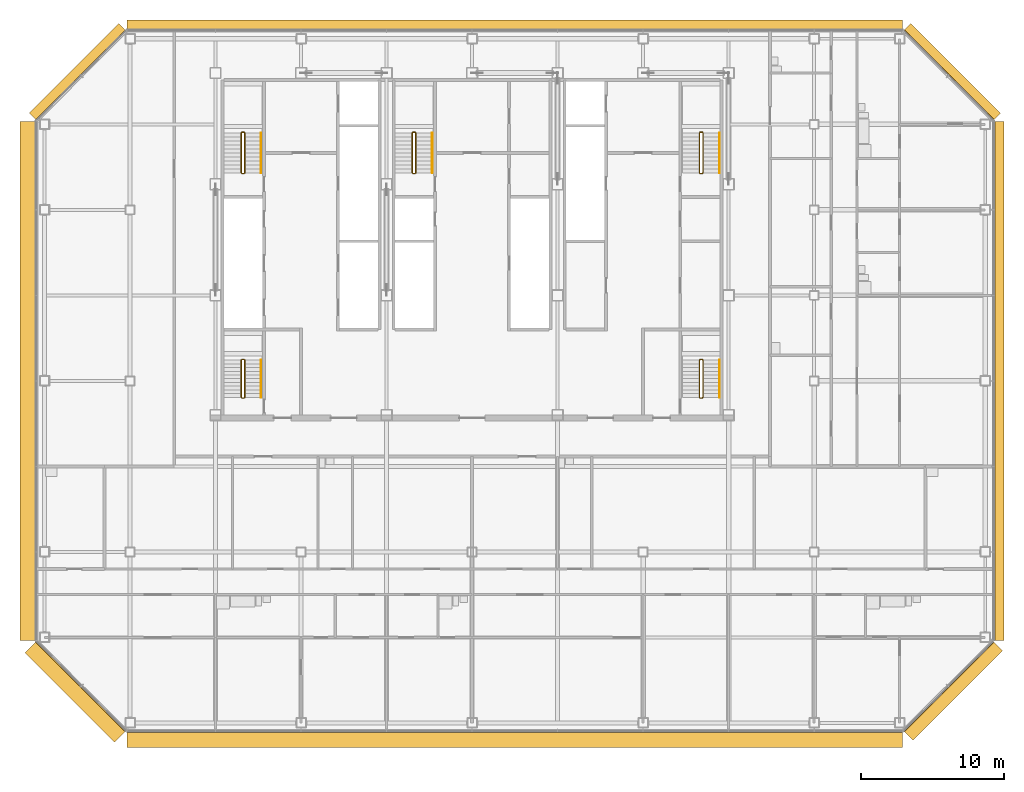
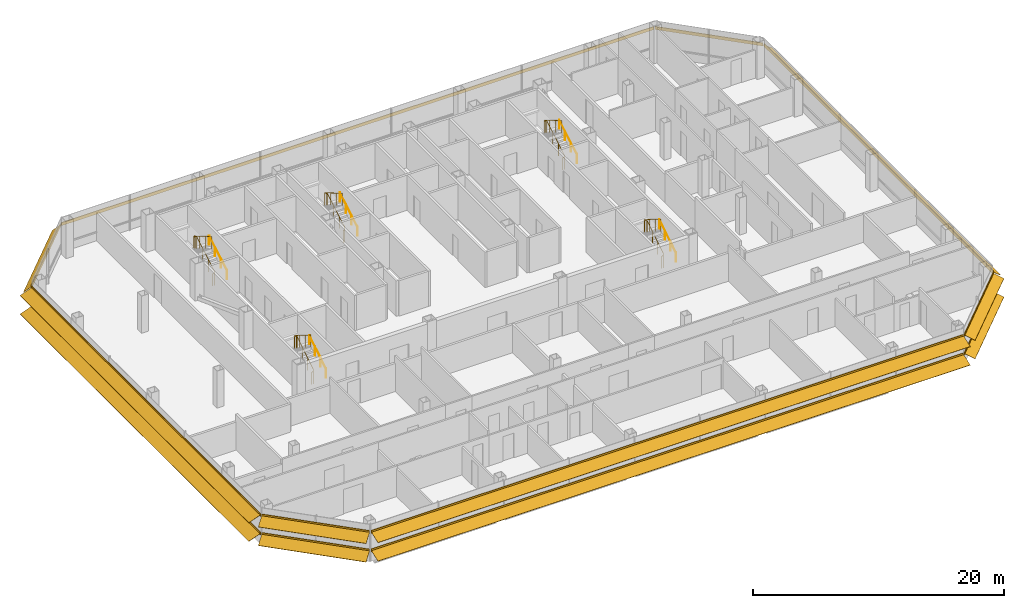
# One storey, part 25 of 26: 10 railings, 8 shading devices.
"""IFC4 building model written with IfcOpenShell, lengths in metres."""

import ifcopenshell
import ifcopenshell.guid

model = None  # the IFC model being written
_history = None  # IfcOwnerHistory: only IFC2X3 demands one
_inside = {}  # id of a spatial element -> (the spatial element, [elements in it])
_under = {}  # id of a project, library or spatial element -> (it, [spatial elements below it])
_declared = {}  # id of a project -> (the project, [libraries it declares])
_typed = {}  # id of a type object -> (the type object, [elements of that type])
_made_of = {}  # id of a material, layer set ... -> (it, [elements and type objects made of it])


def new_model(schema):
    """Start an empty IFC model of exactly this schema.

    Asked for "IFC4X3", IfcOpenShell would pick the latest addendum, in which some entities
    have other attributes; the version numbers below select the first issue.
    IFC2X3 requires an IfcOwnerHistory on every rooted entity: one is made here for all.
    """
    global model, _history
    if schema == "IFC4X3":
        model = ifcopenshell.file(schema_version=(4, 3, 0, 0))
    else:
        model = ifcopenshell.file(schema=schema)
    _inside.clear()
    _under.clear()
    _declared.clear()
    _typed.clear()
    _made_of.clear()
    _history = None
    if model.schema == "IFC2X3":
        org = make("IfcOrganization", Name="unknown")
        user = make(
            "IfcPersonAndOrganization",
            ThePerson=make("IfcPerson", FamilyName="unknown"),
            TheOrganization=org,
        )
        app = make(
            "IfcApplication",
            ApplicationDeveloper=org,
            Version="unknown",
            ApplicationFullName="unknown",
            ApplicationIdentifier="unknown",
        )
        _history = make(
            "IfcOwnerHistory",
            OwningUser=user,
            OwningApplication=app,
            ChangeAction="ADDED",
            CreationDate=0,
        )
    return model


def make(cls, **values):
    """One entity of the class cls with the attributes given. An attribute that is None is left unset."""
    return model.create_entity(
        cls, **{name: value for name, value in values.items() if value is not None}
    )


def rooted(cls, **values):
    """An entity with a GlobalId (a new one), such as an element, a storey or a relation."""
    return make(cls, GlobalId=ifcopenshell.guid.new(), OwnerHistory=_history, **values)


def si_unit(unit_type, name, prefix=None):
    """IfcSIUnit, for example si_unit("LENGTHUNIT", "METRE", prefix="MILLI")."""
    return make("IfcSIUnit", UnitType=unit_type, Prefix=prefix, Name=name)


def assignment(units):
    """IfcUnitAssignment: the units of a project."""
    return None if units is None else make("IfcUnitAssignment", Units=units)


def point(xyz):
    """IfcCartesianPoint."""
    return None if xyz is None else make("IfcCartesianPoint", Coordinates=xyz)


def direction(xyz):
    """IfcDirection."""
    return None if xyz is None else make("IfcDirection", DirectionRatios=xyz)


def frame(location, z_axis=None, x_axis=None):
    """IfcAxis2Placement3D, a coordinate frame: its origin and axes. An axis left out is left unset."""
    return make(
        "IfcAxis2Placement3D",
        Location=point(location),
        Axis=direction(z_axis),
        RefDirection=direction(x_axis),
    )


def frame_2d(location, x_axis=None):
    """IfcAxis2Placement2D, a coordinate frame in the plane: its origin and x axis."""
    return make(
        "IfcAxis2Placement2D", Location=point(location), RefDirection=direction(x_axis)
    )


def origin():
    """The frame at (0, 0, 0) with its axes left unset."""
    return frame((0.0, 0.0, 0.0))


def origin_2d():
    """The frame at (0, 0) in the plane with its x axis left unset."""
    return frame_2d((0.0, 0.0))


def place(relative_to, where):
    """IfcLocalPlacement: puts the frame where relative to a parent placement (None: the world)."""
    return make(
        "IfcLocalPlacement", PlacementRelTo=relative_to, RelativePlacement=where
    )


def context(
    kind, dimensions, precision=None, world=None, true_north=None, identifier=None
):
    """IfcGeometricRepresentationContext, for example the 3D "Model" context."""
    return make(
        "IfcGeometricRepresentationContext",
        ContextIdentifier=identifier,
        ContextType=kind,
        CoordinateSpaceDimension=dimensions,
        Precision=precision,
        WorldCoordinateSystem=world,
        TrueNorth=true_north,
    )


def subcontext(parent, identifier, kind, view, scale=None):
    """IfcGeometricRepresentationSubContext, for example "Body" below "Model"."""
    return make(
        "IfcGeometricRepresentationSubContext",
        ContextIdentifier=identifier,
        ContextType=kind,
        ParentContext=parent,
        TargetScale=scale,
        TargetView=view,
    )


def project(units=None, contexts=None):
    """IfcProject with its units and contexts."""
    return rooted(
        "IfcProject",
        Name="project",
        RepresentationContexts=contexts,
        UnitsInContext=assignment(units),
    )


def spatial(cls, under=None, at=None, **own):
    """A site, building, storey or space (cls), placed at a placement, below another one or the project."""
    s = rooted(cls, ObjectPlacement=at, **own)
    if under is not None:
        _under.setdefault(under.id(), (under, []))[1].append(s)
    return s


def polyline(points):
    """IfcPolyline through the points."""
    return make("IfcPolyline", Points=[point(p) for p in points])


def profile(cls, at=None, kind="AREA", **sizes):
    """A parametric profile (cls). Its sizes go by their IFC names, for example OverallWidth=200.0."""
    return make(cls, ProfileType=kind, Position=at, **sizes)


def circle(**sizes):
    """IfcCircleProfileDef."""
    return profile("IfcCircleProfileDef", **sizes)


def outline(outer, holes=None, kind="AREA"):
    """IfcArbitraryClosedProfileDef: a profile drawn as a closed curve; with holes, ...WithVoids."""
    if holes is None:
        return make("IfcArbitraryClosedProfileDef", ProfileType=kind, OuterCurve=outer)
    return make(
        "IfcArbitraryProfileDefWithVoids",
        ProfileType=kind,
        OuterCurve=outer,
        InnerCurves=holes,
    )


def composite_profile(profiles, kind="AREA"):
    """IfcCompositeProfileDef: several profiles as one."""
    return make("IfcCompositeProfileDef", ProfileType=kind, Profiles=profiles)


def extrude(swept, where, along, depth):
    """IfcExtrudedAreaSolid: the profile swept, set in the frame where, extruded along a direction by depth."""
    return make(
        "IfcExtrudedAreaSolid",
        SweptArea=swept,
        Position=where,
        ExtrudedDirection=direction(along),
        Depth=depth,
    )


def shape(context_of_items, identifier, shape_type, items):
    """IfcShapeRepresentation: the items that make up one representation, for example the "Body"."""
    return make(
        "IfcShapeRepresentation",
        ContextOfItems=context_of_items,
        RepresentationIdentifier=identifier,
        RepresentationType=shape_type,
        Items=items,
    )


def material(Name=None, Category=None):
    """IfcMaterial."""
    return make("IfcMaterial", Name=Name, Category=Category)


def made_of(thing, what):
    """Note that an element or type object is made of a material, layer set ...; save() writes the relation."""
    if what is not None:
        _made_of.setdefault(what.id(), (what, []))[1].append(thing)
    return thing


def type_object(cls, material=None, **own):
    """A type object (cls), such as IfcWallType, which elements share."""
    return made_of(rooted(cls, **own), material)


def element(
    cls,
    number,
    at=None,
    inside=None,
    cuts=None,
    type_object=None,
    material=None,
    context=None,
    identifier="Body",
    shape_type=None,
    held_by="IfcProductDefinitionShape",
    body=None,
    shapes=None,
    **own,
):
    """One element of the class cls, such as IfcWall. Its Tag is "e" and its number.

    at: its placement. inside: the storey or other place that contains it. cuts: it is an
    opening in that element (IfcRelVoidsElement). A single representation is given by context,
    identifier, shape_type and body (its items); several are given by shapes. held_by: the class
    of the entity that holds the representations. save() writes the other relations.
    """
    e = rooted(cls, Tag="e%d" % number, ObjectPlacement=at, **own)
    if body is not None:
        shapes = [shape(context, identifier, shape_type, body)]
    if shapes is not None:
        e.Representation = make(held_by, Representations=shapes)
    if inside is not None:
        _inside.setdefault(inside.id(), (inside, []))[1].append(e)
    if cuts is not None:
        rooted(
            "IfcRelVoidsElement", RelatingBuildingElement=cuts, RelatedOpeningElement=e
        )
    if type_object is not None:
        _typed.setdefault(type_object.id(), (type_object, []))[1].append(e)
    return made_of(e, material)


def aggregate(whole, parts):
    """IfcRelAggregates: a whole, such as a stair, and the parts it consists of."""
    return rooted("IfcRelAggregates", RelatingObject=whole, RelatedObjects=parts)


def save(model, path):
    """Write the relations noted so far, then the file.

    IfcRelAggregates (storeys below a building ...), IfcRelContainedInSpatialStructure (elements
    in a storey), IfcRelDefinesByType, IfcRelAssociatesMaterial and IfcRelDeclares: one each for
    every whole, place, type object, material and project.
    """
    for whole, parts in _under.values():
        aggregate(whole, parts)
    for where, things in _inside.values():
        rooted(
            "IfcRelContainedInSpatialStructure",
            RelatedElements=things,
            RelatingStructure=where,
        )
    for kind, things in _typed.values():
        rooted("IfcRelDefinesByType", RelatedObjects=things, RelatingType=kind)
    for what, things in _made_of.values():
        rooted("IfcRelAssociatesMaterial", RelatedObjects=things, RelatingMaterial=what)
    for by, libraries in _declared.values():
        rooted("IfcRelDeclares", RelatingContext=by, RelatedDefinitions=libraries)
    model.write(path)


model = new_model("IFC4")

# Units and contexts
model_context = context("Model", 3, precision=1e-05, world=origin(), true_north=direction((0.0, 1.0)))
body_context = subcontext(model_context, "Body", "Model", "MODEL_VIEW")
ifc_project = project(units=[si_unit("LENGTHUNIT", "METRE"), si_unit("AREAUNIT", "SQUARE_METRE"), si_unit("VOLUMEUNIT", "CUBIC_METRE"), si_unit("PLANEANGLEUNIT", "RADIAN"), si_unit("MASSUNIT", "GRAM", prefix="KILO")], contexts=[model_context])

# Site, building, storey
site_placement = place(None, origin())
site = spatial("IfcSite", under=ifc_project, at=site_placement, CompositionType="ELEMENT")
building_placement = place(site_placement, origin())
building = spatial("IfcBuilding", under=site, at=building_placement, Name="Sorahane Residences", CompositionType="ELEMENT")
storey_placement = place(building_placement, frame((0.0, 0.0, 147.39990234375)))
storey = spatial("IfcBuildingStorey", under=building, at=storey_placement, Name="L33", CompositionType="ELEMENT", Elevation=147.39990234375)

# Shading devices
ifc_material_1 = material(Name="Terracotta anodised aluminium", Category="masonry")
shading_device_type_1 = type_object("IfcShadingDeviceType", Name="Louvre sunshade blade E terracotta aluminium 700", PredefinedType="JALOUSIE", material=ifc_material_1)
shading_device_1_placement = place(storey_placement, frame((60.60009765625, 5.801513671875, 2.7001953125), z_axis=(0.0, 1.0, 0.0), x_axis=(-1.0, 0.0, 0.0)))
element("IfcShadingDevice", 1, at=shading_device_1_placement, inside=storey, type_object=shading_device_type_1, Name="Louvre sunshade blade bank E L33 E1", PredefinedType="JALOUSIE", context=body_context, shape_type="SweptSolid", body=[
    extrude(outline(polyline([(-0.719970703125, -0.49365234375), (-0.719970703125, -0.523681640625), (-0.080078125, -0.05859375), (-0.080078125, -0.14990234375), (-0.02001953125, -0.14990234375), (-0.02001953125, -0.014892578125), (-0.02001953125, 0.014892578125), (-0.02001953125, 0.14990234375), (-0.080078125, 0.14990234375), (-0.080078125, -0.028564453125), (-0.719970703125, -0.49365234375)])), origin(), (0.0, 0.0, 1.0), 36.39697265625),
])
ifc_material_2 = material(Name="Terracotta anodised aluminium", Category="masonry")
shading_device_type_2 = type_object("IfcShadingDeviceType", Name="Louvre sunshade blade N terracotta aluminium 700", PredefinedType="JALOUSIE", material=ifc_material_2)
shading_device_2_placement = place(storey_placement, frame((54.198486328125, 48.60009765625, 2.7001953125), z_axis=(-1.0, 0.0, 0.0), x_axis=(0.0, -1.0, 0.0)))
element("IfcShadingDevice", 2, at=shading_device_2_placement, inside=storey, type_object=shading_device_type_2, Name="Louvre sunshade blade bank N L33 N1", PredefinedType="JALOUSIE", context=body_context, shape_type="SweptSolid", body=[
    extrude(outline(polyline([(-0.719970703125, -0.660888671875), (-0.719970703125, -0.69091796875), (-0.080078125, -0.072998046875), (-0.080078125, -0.14990234375), (-0.02001953125, -0.14990234375), (-0.02001953125, -0.014892578125), (-0.02001953125, 0.014892578125), (-0.02001953125, 0.14990234375), (-0.080078125, 0.14990234375), (-0.080078125, -0.04296875), (-0.719970703125, -0.660888671875)])), origin(), (0.0, 0.0, 1.0), 54.39697265625),
])
ifc_material_3 = material(Name="Terracotta anodised aluminium", Category="masonry")
shading_device_type_3 = type_object("IfcShadingDeviceType", Name="Louvre sunshade blade NE terracotta aluminium 700", PredefinedType="JALOUSIE", material=ifc_material_3)
shading_device_3_placement = place(storey_placement, frame((60.564697265625, 42.283935546875, 2.7001953125), z_axis=(-0.707106781187, 0.707106781187, 0.0), x_axis=(-0.707106781187, -0.707106781187, 0.0)))
element("IfcShadingDevice", 3, at=shading_device_3_placement, inside=storey, type_object=shading_device_type_3, Name="Louvre sunshade blade bank NE L33 NE1", PredefinedType="JALOUSIE", context=body_context, shape_type="SweptSolid", body=[
    extrude(outline(polyline([(-0.719970703125, -0.572509765625), (-0.719970703125, -0.602294921875), (-0.080078125, -0.065185546875), (-0.080078125, -0.14990234375), (-0.02001953125, -0.14990234375), (-0.02001953125, -0.014892578125), (-0.02001953125, 0.014892578125), (-0.02001953125, 0.14990234375), (-0.080078125, 0.14990234375), (-0.080078125, -0.035400390625), (-0.719970703125, -0.572509765625)])), origin(), (0.0, 0.0, 1.0), 8.88232421875),
])
ifc_material_4 = material(Name="Terracotta anodised aluminium", Category="masonry")
shading_device_type_4 = type_object("IfcShadingDeviceType", Name="Louvre sunshade blade NW terracotta aluminium 700", PredefinedType="JALOUSIE", material=ifc_material_4)
shading_device_4_placement = place(storey_placement, frame((-0.283935546875, 48.564697265625, 2.7001953125), z_axis=(-0.707106781187, -0.707106781187, 0.0), x_axis=(0.707106781187, -0.707106781187, 0.0)))
element("IfcShadingDevice", 4, at=shading_device_4_placement, inside=storey, type_object=shading_device_type_4, Name="Louvre sunshade blade bank NW L33 NW1", PredefinedType="JALOUSIE", context=body_context, shape_type="SweptSolid", body=[
    extrude(outline(polyline([(-0.719970703125, -0.660888671875), (-0.719970703125, -0.69091796875), (-0.080078125, -0.072998046875), (-0.080078125, -0.14990234375), (-0.02001953125, -0.14990234375), (-0.02001953125, -0.014892578125), (-0.02001953125, 0.014892578125), (-0.02001953125, 0.14990234375), (-0.080078125, 0.14990234375), (-0.080078125, -0.04296875), (-0.719970703125, -0.660888671875)])), origin(), (0.0, 0.0, 1.0), 8.88232421875),
])
ifc_material_5 = material(Name="Terracotta anodised aluminium", Category="masonry")
shading_device_type_5 = type_object("IfcShadingDeviceType", Name="Louvre sunshade blade S terracotta aluminium 1100", PredefinedType="JALOUSIE", material=ifc_material_5)
shading_device_5_placement = place(storey_placement, frame((-0.198486328125, -0.60009765625, 0.900146484375), z_axis=(1.0, 0.0, 0.0), x_axis=(0.0, 1.0, 0.0)))
element("IfcShadingDevice", 5, at=shading_device_5_placement, inside=storey, type_object=shading_device_type_5, Name="Louvre sunshade blade bank S L33 S1", PredefinedType="JALOUSIE", context=body_context, shape_type="SweptSolid", body=[
    extrude(composite_profile([outline(polyline([(-1.1201171875, -0.385498046875), (-1.1201171875, -0.415283203125), (-0.080078125, -0.036865234375), (-0.080078125, -0.14990234375), (-0.02001953125, -0.14990234375), (-0.02001953125, -0.014892578125), (-0.02001953125, 0.014892578125), (-0.02001953125, 0.14990234375), (-0.080078125, 0.14990234375), (-0.080078125, -0.0068359375), (-1.1201171875, -0.385498046875)])), outline(polyline([(-1.1201171875, 1.41455078125), (-1.1201171875, 1.384521484375), (-0.080078125, 1.76318359375), (-0.080078125, 1.64990234375), (-0.02001953125, 1.64990234375), (-0.02001953125, 1.784912109375), (-0.02001953125, 1.81494140625), (-0.02001953125, 1.949951171875), (-0.080078125, 1.949951171875), (-0.080078125, 1.793212890625), (-1.1201171875, 1.41455078125)]))]), origin(), (0.0, 0.0, 1.0), 54.39697265625),
])
ifc_material_6 = material(Name="Terracotta anodised aluminium", Category="masonry")
shading_device_type_6 = type_object("IfcShadingDeviceType", Name="Louvre sunshade blade SE terracotta aluminium 900", PredefinedType="JALOUSIE", material=ifc_material_6)
shading_device_6_placement = place(storey_placement, frame((54.283935546875, -0.564697265625, 0.900146484375), z_axis=(0.707106781187, 0.707106781187, 0.0), x_axis=(-0.707106781187, 0.707106781187, 0.0)))
element("IfcShadingDevice", 6, at=shading_device_6_placement, inside=storey, type_object=shading_device_type_6, Name="Louvre sunshade blade bank SE L33 SE1", PredefinedType="JALOUSIE", context=body_context, shape_type="SweptSolid", body=[
    extrude(composite_profile([outline(polyline([(-0.919921875, -0.3486328125), (-0.919921875, -0.378662109375), (-0.080078125, -0.039306640625), (-0.080078125, -0.14990234375), (-0.02001953125, -0.14990234375), (-0.02001953125, -0.014892578125), (-0.02001953125, 0.014892578125), (-0.02001953125, 0.14990234375), (-0.080078125, 0.14990234375), (-0.080078125, -0.00927734375), (-0.919921875, -0.3486328125)])), outline(polyline([(-0.919921875, 1.451416015625), (-0.919921875, 1.42138671875), (-0.080078125, 1.7607421875), (-0.080078125, 1.64990234375), (-0.02001953125, 1.64990234375), (-0.02001953125, 1.784912109375), (-0.02001953125, 1.81494140625), (-0.02001953125, 1.949951171875), (-0.080078125, 1.949951171875), (-0.080078125, 1.790771484375), (-0.919921875, 1.451416015625)]))]), origin(), (0.0, 0.0, 1.0), 8.88232421875),
])
ifc_material_7 = material(Name="Terracotta anodised aluminium", Category="masonry")
shading_device_type_7 = type_object("IfcShadingDeviceType", Name="Louvre sunshade blade SW terracotta aluminium 1100", PredefinedType="JALOUSIE", material=ifc_material_7)
shading_device_7_placement = place(storey_placement, frame((-6.564697265625, 5.716064453125, 0.900146484375), z_axis=(0.707106781187, -0.707106781187, 0.0), x_axis=(0.707106781187, 0.707106781187, 0.0)))
element("IfcShadingDevice", 7, at=shading_device_7_placement, inside=storey, type_object=shading_device_type_7, Name="Louvre sunshade blade bank SW L33 SW1", PredefinedType="JALOUSIE", context=body_context, shape_type="SweptSolid", body=[
    extrude(composite_profile([outline(polyline([(-1.1201171875, -0.385498046875), (-1.1201171875, -0.415283203125), (-0.080078125, -0.036865234375), (-0.080078125, -0.14990234375), (-0.02001953125, -0.14990234375), (-0.02001953125, -0.014892578125), (-0.02001953125, 0.014892578125), (-0.02001953125, 0.14990234375), (-0.080078125, 0.14990234375), (-0.080078125, -0.0068359375), (-1.1201171875, -0.385498046875)])), outline(polyline([(-1.1201171875, 1.41455078125), (-1.1201171875, 1.384521484375), (-0.080078125, 1.76318359375), (-0.080078125, 1.64990234375), (-0.02001953125, 1.64990234375), (-0.02001953125, 1.784912109375), (-0.02001953125, 1.81494140625), (-0.02001953125, 1.949951171875), (-0.080078125, 1.949951171875), (-0.080078125, 1.793212890625), (-1.1201171875, 1.41455078125)]))]), origin(), (0.0, 0.0, 1.0), 8.88232421875),
])
ifc_material_8 = material(Name="Terracotta anodised aluminium", Category="masonry")
shading_device_type_8 = type_object("IfcShadingDeviceType", Name="Louvre sunshade blade W terracotta aluminium 1100", PredefinedType="JALOUSIE", material=ifc_material_8)
shading_device_8_placement = place(storey_placement, frame((-6.60009765625, 42.198486328125, 0.900146484375), z_axis=(0.0, -1.0, 0.0), x_axis=(1.0, 0.0, 0.0)))
element("IfcShadingDevice", 8, at=shading_device_8_placement, inside=storey, type_object=shading_device_type_8, Name="Louvre sunshade blade bank W L33 W1", PredefinedType="JALOUSIE", context=body_context, shape_type="SweptSolid", body=[
    extrude(composite_profile([outline(polyline([(-1.1201171875, -0.385498046875), (-1.1201171875, -0.415283203125), (-0.080078125, -0.036865234375), (-0.080078125, -0.14990234375), (-0.02001953125, -0.14990234375), (-0.02001953125, -0.014892578125), (-0.02001953125, 0.014892578125), (-0.02001953125, 0.14990234375), (-0.080078125, 0.14990234375), (-0.080078125, -0.0068359375), (-1.1201171875, -0.385498046875)])), outline(polyline([(-1.1201171875, 1.41455078125), (-1.1201171875, 1.384521484375), (-0.080078125, 1.76318359375), (-0.080078125, 1.64990234375), (-0.02001953125, 1.64990234375), (-0.02001953125, 1.784912109375), (-0.02001953125, 1.81494140625), (-0.02001953125, 1.949951171875), (-0.080078125, 1.949951171875), (-0.080078125, 1.793212890625), (-1.1201171875, 1.41455078125)]))]), origin(), (0.0, 0.0, 1.0), 36.39697265625),
])

# Railings
ifc_material_9 = material(Name="Steel Q355B", Category="steel")
railing_type_1 = type_object("IfcRailingType", Name="Stair guard 1200 Steel Q355B", PredefinedType="GUARDRAIL", material=ifc_material_9)
railing_1_placement = place(storey_placement, frame((7.85009765625, 38.550048828125, 0.0)))
element("IfcRailing", 9, at=railing_1_placement, inside=storey, type_object=railing_type_1, Name="L33 S1 stair guard 1", PredefinedType="GUARDRAIL", context=body_context, shape_type="SweptSolid", body=[
    extrude(circle(Radius=0.02392578125, at=origin_2d()), frame((0.0, 0.0, 1.17578125), z_axis=(1.0, 0.0, 0.0), x_axis=(0.0, 1.0, 0.0)), (0.0, 0.0, 1.0), 0.14990234375),
    extrude(circle(Radius=0.02392578125, at=origin_2d()), frame((0.14990234375, 0.0, 1.17578125), z_axis=(0.280456126637, 0.280456126637, 0.917980785237), x_axis=(-0.707106781187, 0.707106781187, 0.0)), (0.0, 0.0, 1.0), 0.178466796875),
    extrude(circle(Radius=0.02392578125, at=origin_2d()), frame((0.199951171875, 0.050048828125, 1.33984375), z_axis=(0.0, 0.863374499697, 0.504563646405), x_axis=(-1.0, 0.0, 0.0)), (0.0, 0.0, 1.0), 3.242919921875),
    extrude(circle(Radius=0.02392578125, at=origin_2d()), frame((0.199951171875, 2.849853515625, 2.97607421875), z_axis=(-0.707106781187, 0.707106781187, 0.0), x_axis=(-0.707106781187, -0.707106781187, 0.0)), (0.0, 0.0, 1.0), 0.07080078125),
    extrude(circle(Radius=0.02392578125, at=origin_2d()), frame((0.14990234375, 2.89990234375, 2.97607421875), z_axis=(-1.0, 0.0, 0.0), x_axis=(0.0, -1.0, 0.0)), (0.0, 0.0, 1.0), 0.14990234375),
    extrude(circle(Radius=0.02392578125, at=origin_2d()), frame((0.0, 2.89990234375, 2.97607421875), z_axis=(-0.280808744504, -0.280808744504, 0.917765164963), x_axis=(0.707106781187, -0.707106781187, 0.0)), (0.0, 0.0, 1.0), 0.17822265625),
    extrude(circle(Radius=0.02392578125, at=origin_2d()), frame((-0.050048828125, 2.849853515625, 3.1396484375), z_axis=(0.0, -0.863341702679, 0.504619762213), x_axis=(1.0, 0.0, 0.0)), (0.0, 0.0, 1.0), 3.242919921875),
    extrude(circle(Radius=0.02099609375, at=origin_2d()), origin(), (0.0, 0.0, 1.0), 1.15185546875),
    extrude(circle(Radius=0.02099609375, at=origin_2d()), frame((0.14990234375, 0.0, 0.0)), (0.0, 0.0, 1.0), 1.15185546875),
    extrude(circle(Radius=0.02099609375, at=origin_2d()), frame((0.199951171875, 0.050048828125, 0.163818359375)), (0.0, 0.0, 1.0), 1.15185546875),
    extrude(circle(Radius=0.02099609375, at=origin_2d()), frame((0.199951171875, 0.9833984375, 0.709228515625)), (0.0, 0.0, 1.0), 1.15185546875),
    extrude(circle(Radius=0.02099609375, at=origin_2d()), frame((0.199951171875, 1.91650390625, 1.254638671875)), (0.0, 0.0, 1.0), 1.15185546875),
    extrude(circle(Radius=0.02099609375, at=origin_2d()), frame((0.199951171875, 2.849853515625, 1.800048828125)), (0.0, 0.0, 1.0), 1.15185546875),
    extrude(circle(Radius=0.02099609375, at=origin_2d()), frame((0.14990234375, 2.89990234375, 1.800048828125)), (0.0, 0.0, 1.0), 1.15185546875),
    extrude(circle(Radius=0.02099609375, at=origin_2d()), frame((0.0, 2.89990234375, 1.800048828125)), (0.0, 0.0, 1.0), 1.15185546875),
    extrude(circle(Radius=0.02099609375, at=origin_2d()), frame((-0.050048828125, 2.849853515625, 1.963623046875)), (0.0, 0.0, 1.0), 1.15185546875),
    extrude(circle(Radius=0.02099609375, at=origin_2d()), frame((-0.050048828125, 1.91650390625, 2.509033203125)), (0.0, 0.0, 1.0), 1.15185546875),
    extrude(circle(Radius=0.02099609375, at=origin_2d()), frame((-0.050048828125, 0.9833984375, 3.0546875)), (0.0, 0.0, 1.0), 1.15185546875),
    extrude(circle(Radius=0.02099609375, at=origin_2d()), frame((-0.050048828125, 0.050048828125, 3.60009765625)), (0.0, 0.0, 1.0), 1.15185546875),
])
railing_2_placement = place(storey_placement, frame((40.0, 38.550048828125, 0.0)))
element("IfcRailing", 10, at=railing_2_placement, inside=storey, type_object=railing_type_1, Name="L33 S2 stair guard 1", PredefinedType="GUARDRAIL", context=body_context, shape_type="SweptSolid", body=[
    extrude(circle(Radius=0.02392578125, at=origin_2d()), frame((0.0, 0.0, 1.17578125), z_axis=(1.0, 0.0, 0.0), x_axis=(0.0, 1.0, 0.0)), (0.0, 0.0, 1.0), 0.14990234375),
    extrude(circle(Radius=0.02392578125, at=origin_2d()), frame((0.14990234375, 0.0, 1.17578125), z_axis=(0.280456126637, 0.280456126637, 0.917980785237), x_axis=(-0.707106781187, 0.707106781187, 0.0)), (0.0, 0.0, 1.0), 0.178466796875),
    extrude(circle(Radius=0.02392578125, at=origin_2d()), frame((0.199951171875, 0.050048828125, 1.33984375), z_axis=(0.0, 0.863374499697, 0.504563646405), x_axis=(-1.0, 0.0, 0.0)), (0.0, 0.0, 1.0), 3.242919921875),
    extrude(circle(Radius=0.02392578125, at=origin_2d()), frame((0.199951171875, 2.849853515625, 2.97607421875), z_axis=(-0.707106781187, 0.707106781187, 0.0), x_axis=(-0.707106781187, -0.707106781187, 0.0)), (0.0, 0.0, 1.0), 0.07080078125),
    extrude(circle(Radius=0.02392578125, at=origin_2d()), frame((0.14990234375, 2.89990234375, 2.97607421875), z_axis=(-1.0, 0.0, 0.0), x_axis=(0.0, -1.0, 0.0)), (0.0, 0.0, 1.0), 0.14990234375),
    extrude(circle(Radius=0.02392578125, at=origin_2d()), frame((0.0, 2.89990234375, 2.97607421875), z_axis=(-0.280808744504, -0.280808744504, 0.917765164963), x_axis=(0.707106781187, -0.707106781187, 0.0)), (0.0, 0.0, 1.0), 0.17822265625),
    extrude(circle(Radius=0.02392578125, at=origin_2d()), frame((-0.050048828125, 2.849853515625, 3.1396484375), z_axis=(0.0, -0.863341702679, 0.504619762213), x_axis=(1.0, 0.0, 0.0)), (0.0, 0.0, 1.0), 3.242919921875),
    extrude(circle(Radius=0.02099609375, at=origin_2d()), origin(), (0.0, 0.0, 1.0), 1.15185546875),
    extrude(circle(Radius=0.02099609375, at=origin_2d()), frame((0.14990234375, 0.0, 0.0)), (0.0, 0.0, 1.0), 1.15185546875),
    extrude(circle(Radius=0.02099609375, at=origin_2d()), frame((0.199951171875, 0.050048828125, 0.163818359375)), (0.0, 0.0, 1.0), 1.15185546875),
    extrude(circle(Radius=0.02099609375, at=origin_2d()), frame((0.199951171875, 0.9833984375, 0.709228515625)), (0.0, 0.0, 1.0), 1.15185546875),
    extrude(circle(Radius=0.02099609375, at=origin_2d()), frame((0.199951171875, 1.91650390625, 1.254638671875)), (0.0, 0.0, 1.0), 1.15185546875),
    extrude(circle(Radius=0.02099609375, at=origin_2d()), frame((0.199951171875, 2.849853515625, 1.800048828125)), (0.0, 0.0, 1.0), 1.15185546875),
    extrude(circle(Radius=0.02099609375, at=origin_2d()), frame((0.14990234375, 2.89990234375, 1.800048828125)), (0.0, 0.0, 1.0), 1.15185546875),
    extrude(circle(Radius=0.02099609375, at=origin_2d()), frame((0.0, 2.89990234375, 1.800048828125)), (0.0, 0.0, 1.0), 1.15185546875),
    extrude(circle(Radius=0.02099609375, at=origin_2d()), frame((-0.050048828125, 2.849853515625, 1.963623046875)), (0.0, 0.0, 1.0), 1.15185546875),
    extrude(circle(Radius=0.02099609375, at=origin_2d()), frame((-0.050048828125, 1.91650390625, 2.509033203125)), (0.0, 0.0, 1.0), 1.15185546875),
    extrude(circle(Radius=0.02099609375, at=origin_2d()), frame((-0.050048828125, 0.9833984375, 3.0546875)), (0.0, 0.0, 1.0), 1.15185546875),
    extrude(circle(Radius=0.02099609375, at=origin_2d()), frame((-0.050048828125, 0.050048828125, 3.60009765625)), (0.0, 0.0, 1.0), 1.15185546875),
])
railing_3_placement = place(storey_placement, frame((19.85009765625, 38.550048828125, 0.0)))
element("IfcRailing", 11, at=railing_3_placement, inside=storey, type_object=railing_type_1, Name="L33 S3 stair guard 1", PredefinedType="GUARDRAIL", context=body_context, shape_type="SweptSolid", body=[
    extrude(circle(Radius=0.02392578125, at=origin_2d()), frame((0.0, 0.0, 1.17578125), z_axis=(1.0, 0.0, 0.0), x_axis=(0.0, 1.0, 0.0)), (0.0, 0.0, 1.0), 0.14990234375),
    extrude(circle(Radius=0.02392578125, at=origin_2d()), frame((0.14990234375, 0.0, 1.17578125), z_axis=(0.280456126637, 0.280456126637, 0.917980785237), x_axis=(-0.707106781187, 0.707106781187, 0.0)), (0.0, 0.0, 1.0), 0.178466796875),
    extrude(circle(Radius=0.02392578125, at=origin_2d()), frame((0.199951171875, 0.050048828125, 1.33984375), z_axis=(0.0, 0.863374499697, 0.504563646405), x_axis=(-1.0, 0.0, 0.0)), (0.0, 0.0, 1.0), 3.242919921875),
    extrude(circle(Radius=0.02392578125, at=origin_2d()), frame((0.199951171875, 2.849853515625, 2.97607421875), z_axis=(-0.707106781187, 0.707106781187, 0.0), x_axis=(-0.707106781187, -0.707106781187, 0.0)), (0.0, 0.0, 1.0), 0.07080078125),
    extrude(circle(Radius=0.02392578125, at=origin_2d()), frame((0.14990234375, 2.89990234375, 2.97607421875), z_axis=(-1.0, 0.0, 0.0), x_axis=(0.0, -1.0, 0.0)), (0.0, 0.0, 1.0), 0.14990234375),
    extrude(circle(Radius=0.02392578125, at=origin_2d()), frame((0.0, 2.89990234375, 2.97607421875), z_axis=(-0.280808744504, -0.280808744504, 0.917765164963), x_axis=(0.707106781187, -0.707106781187, 0.0)), (0.0, 0.0, 1.0), 0.17822265625),
    extrude(circle(Radius=0.02392578125, at=origin_2d()), frame((-0.050048828125, 2.849853515625, 3.1396484375), z_axis=(0.0, -0.863341702679, 0.504619762213), x_axis=(1.0, 0.0, 0.0)), (0.0, 0.0, 1.0), 3.242919921875),
    extrude(circle(Radius=0.02099609375, at=origin_2d()), origin(), (0.0, 0.0, 1.0), 1.15185546875),
    extrude(circle(Radius=0.02099609375, at=origin_2d()), frame((0.14990234375, 0.0, 0.0)), (0.0, 0.0, 1.0), 1.15185546875),
    extrude(circle(Radius=0.02099609375, at=origin_2d()), frame((0.199951171875, 0.050048828125, 0.163818359375)), (0.0, 0.0, 1.0), 1.15185546875),
    extrude(circle(Radius=0.02099609375, at=origin_2d()), frame((0.199951171875, 0.9833984375, 0.709228515625)), (0.0, 0.0, 1.0), 1.15185546875),
    extrude(circle(Radius=0.02099609375, at=origin_2d()), frame((0.199951171875, 1.91650390625, 1.254638671875)), (0.0, 0.0, 1.0), 1.15185546875),
    extrude(circle(Radius=0.02099609375, at=origin_2d()), frame((0.199951171875, 2.849853515625, 1.800048828125)), (0.0, 0.0, 1.0), 1.15185546875),
    extrude(circle(Radius=0.02099609375, at=origin_2d()), frame((0.14990234375, 2.89990234375, 1.800048828125)), (0.0, 0.0, 1.0), 1.15185546875),
    extrude(circle(Radius=0.02099609375, at=origin_2d()), frame((0.0, 2.89990234375, 1.800048828125)), (0.0, 0.0, 1.0), 1.15185546875),
    extrude(circle(Radius=0.02099609375, at=origin_2d()), frame((-0.050048828125, 2.849853515625, 1.963623046875)), (0.0, 0.0, 1.0), 1.15185546875),
    extrude(circle(Radius=0.02099609375, at=origin_2d()), frame((-0.050048828125, 1.91650390625, 2.509033203125)), (0.0, 0.0, 1.0), 1.15185546875),
    extrude(circle(Radius=0.02099609375, at=origin_2d()), frame((-0.050048828125, 0.9833984375, 3.0546875)), (0.0, 0.0, 1.0), 1.15185546875),
    extrude(circle(Radius=0.02099609375, at=origin_2d()), frame((-0.050048828125, 0.050048828125, 3.60009765625)), (0.0, 0.0, 1.0), 1.15185546875),
])
railing_4_placement = place(storey_placement, frame((7.85009765625, 22.800048828125, 0.0)))
element("IfcRailing", 12, at=railing_4_placement, inside=storey, type_object=railing_type_1, Name="L33 S4 stair guard 1", PredefinedType="GUARDRAIL", context=body_context, shape_type="SweptSolid", body=[
    extrude(circle(Radius=0.02392578125, at=origin_2d()), frame((0.0, 0.0, 1.17578125), z_axis=(1.0, 0.0, 0.0), x_axis=(0.0, 1.0, 0.0)), (0.0, 0.0, 1.0), 0.14990234375),
    extrude(circle(Radius=0.02392578125, at=origin_2d()), frame((0.14990234375, 0.0, 1.17578125), z_axis=(0.280456126637, 0.280456126637, 0.917980785237), x_axis=(-0.707106781187, 0.707106781187, 0.0)), (0.0, 0.0, 1.0), 0.178466796875),
    extrude(circle(Radius=0.02392578125, at=origin_2d()), frame((0.199951171875, 0.050048828125, 1.33984375), z_axis=(0.0, 0.846337672412, 0.532646734952), x_axis=(-1.0, 0.0, 0.0)), (0.0, 0.0, 1.0), 3.07177734375),
    extrude(circle(Radius=0.02392578125, at=origin_2d()), frame((0.199951171875, 2.64990234375, 2.97607421875), z_axis=(-0.707106781187, 0.707106781187, 0.0), x_axis=(-0.707106781187, -0.707106781187, 0.0)), (0.0, 0.0, 1.0), 0.07080078125),
    extrude(circle(Radius=0.02392578125, at=origin_2d()), frame((0.14990234375, 2.699951171875, 2.97607421875), z_axis=(-1.0, 0.0, 0.0), x_axis=(0.0, -1.0, 0.0)), (0.0, 0.0, 1.0), 0.14990234375),
    extrude(circle(Radius=0.02392578125, at=origin_2d()), frame((0.0, 2.699951171875, 2.97607421875), z_axis=(-0.280808744504, -0.280808744504, 0.917765164963), x_axis=(0.707106781187, -0.707106781187, 0.0)), (0.0, 0.0, 1.0), 0.17822265625),
    extrude(circle(Radius=0.02392578125, at=origin_2d()), frame((-0.050048828125, 2.64990234375, 3.1396484375), z_axis=(0.0, -0.846301844409, 0.532703658848), x_axis=(1.0, 0.0, 0.0)), (0.0, 0.0, 1.0), 3.072021484375),
    extrude(circle(Radius=0.02099609375, at=origin_2d()), origin(), (0.0, 0.0, 1.0), 1.15185546875),
    extrude(circle(Radius=0.02099609375, at=origin_2d()), frame((0.14990234375, 0.0, 0.0)), (0.0, 0.0, 1.0), 1.15185546875),
    extrude(circle(Radius=0.02099609375, at=origin_2d()), frame((0.199951171875, 0.050048828125, 0.163818359375)), (0.0, 0.0, 1.0), 1.15185546875),
    extrude(circle(Radius=0.02099609375, at=origin_2d()), frame((0.199951171875, 0.916748046875, 0.709228515625)), (0.0, 0.0, 1.0), 1.15185546875),
    extrude(circle(Radius=0.02099609375, at=origin_2d()), frame((0.199951171875, 1.783203125, 1.254638671875)), (0.0, 0.0, 1.0), 1.15185546875),
    extrude(circle(Radius=0.02099609375, at=origin_2d()), frame((0.199951171875, 2.64990234375, 1.800048828125)), (0.0, 0.0, 1.0), 1.15185546875),
    extrude(circle(Radius=0.02099609375, at=origin_2d()), frame((0.14990234375, 2.699951171875, 1.800048828125)), (0.0, 0.0, 1.0), 1.15185546875),
    extrude(circle(Radius=0.02099609375, at=origin_2d()), frame((0.0, 2.699951171875, 1.800048828125)), (0.0, 0.0, 1.0), 1.15185546875),
    extrude(circle(Radius=0.02099609375, at=origin_2d()), frame((-0.050048828125, 2.64990234375, 1.963623046875)), (0.0, 0.0, 1.0), 1.15185546875),
    extrude(circle(Radius=0.02099609375, at=origin_2d()), frame((-0.050048828125, 1.783203125, 2.509033203125)), (0.0, 0.0, 1.0), 1.15185546875),
    extrude(circle(Radius=0.02099609375, at=origin_2d()), frame((-0.050048828125, 0.916748046875, 3.0546875)), (0.0, 0.0, 1.0), 1.15185546875),
    extrude(circle(Radius=0.02099609375, at=origin_2d()), frame((-0.050048828125, 0.050048828125, 3.60009765625)), (0.0, 0.0, 1.0), 1.15185546875),
])
railing_5_placement = place(storey_placement, frame((40.0, 22.800048828125, 0.0)))
element("IfcRailing", 13, at=railing_5_placement, inside=storey, type_object=railing_type_1, Name="L33 S5 stair guard 1", PredefinedType="GUARDRAIL", context=body_context, shape_type="SweptSolid", body=[
    extrude(circle(Radius=0.02392578125, at=origin_2d()), frame((0.0, 0.0, 1.17578125), z_axis=(1.0, 0.0, 0.0), x_axis=(0.0, 1.0, 0.0)), (0.0, 0.0, 1.0), 0.14990234375),
    extrude(circle(Radius=0.02392578125, at=origin_2d()), frame((0.14990234375, 0.0, 1.17578125), z_axis=(0.280456126637, 0.280456126637, 0.917980785237), x_axis=(-0.707106781187, 0.707106781187, 0.0)), (0.0, 0.0, 1.0), 0.178466796875),
    extrude(circle(Radius=0.02392578125, at=origin_2d()), frame((0.199951171875, 0.050048828125, 1.33984375), z_axis=(0.0, 0.846337672412, 0.532646734952), x_axis=(-1.0, 0.0, 0.0)), (0.0, 0.0, 1.0), 3.07177734375),
    extrude(circle(Radius=0.02392578125, at=origin_2d()), frame((0.199951171875, 2.64990234375, 2.97607421875), z_axis=(-0.707106781187, 0.707106781187, 0.0), x_axis=(-0.707106781187, -0.707106781187, 0.0)), (0.0, 0.0, 1.0), 0.07080078125),
    extrude(circle(Radius=0.02392578125, at=origin_2d()), frame((0.14990234375, 2.699951171875, 2.97607421875), z_axis=(-1.0, 0.0, 0.0), x_axis=(0.0, -1.0, 0.0)), (0.0, 0.0, 1.0), 0.14990234375),
    extrude(circle(Radius=0.02392578125, at=origin_2d()), frame((0.0, 2.699951171875, 2.97607421875), z_axis=(-0.280808744504, -0.280808744504, 0.917765164963), x_axis=(0.707106781187, -0.707106781187, 0.0)), (0.0, 0.0, 1.0), 0.17822265625),
    extrude(circle(Radius=0.02392578125, at=origin_2d()), frame((-0.050048828125, 2.64990234375, 3.1396484375), z_axis=(0.0, -0.846301844409, 0.532703658848), x_axis=(1.0, 0.0, 0.0)), (0.0, 0.0, 1.0), 3.072021484375),
    extrude(circle(Radius=0.02099609375, at=origin_2d()), origin(), (0.0, 0.0, 1.0), 1.15185546875),
    extrude(circle(Radius=0.02099609375, at=origin_2d()), frame((0.14990234375, 0.0, 0.0)), (0.0, 0.0, 1.0), 1.15185546875),
    extrude(circle(Radius=0.02099609375, at=origin_2d()), frame((0.199951171875, 0.050048828125, 0.163818359375)), (0.0, 0.0, 1.0), 1.15185546875),
    extrude(circle(Radius=0.02099609375, at=origin_2d()), frame((0.199951171875, 0.916748046875, 0.709228515625)), (0.0, 0.0, 1.0), 1.15185546875),
    extrude(circle(Radius=0.02099609375, at=origin_2d()), frame((0.199951171875, 1.783203125, 1.254638671875)), (0.0, 0.0, 1.0), 1.15185546875),
    extrude(circle(Radius=0.02099609375, at=origin_2d()), frame((0.199951171875, 2.64990234375, 1.800048828125)), (0.0, 0.0, 1.0), 1.15185546875),
    extrude(circle(Radius=0.02099609375, at=origin_2d()), frame((0.14990234375, 2.699951171875, 1.800048828125)), (0.0, 0.0, 1.0), 1.15185546875),
    extrude(circle(Radius=0.02099609375, at=origin_2d()), frame((0.0, 2.699951171875, 1.800048828125)), (0.0, 0.0, 1.0), 1.15185546875),
    extrude(circle(Radius=0.02099609375, at=origin_2d()), frame((-0.050048828125, 2.64990234375, 1.963623046875)), (0.0, 0.0, 1.0), 1.15185546875),
    extrude(circle(Radius=0.02099609375, at=origin_2d()), frame((-0.050048828125, 1.783203125, 2.509033203125)), (0.0, 0.0, 1.0), 1.15185546875),
    extrude(circle(Radius=0.02099609375, at=origin_2d()), frame((-0.050048828125, 0.916748046875, 3.0546875)), (0.0, 0.0, 1.0), 1.15185546875),
    extrude(circle(Radius=0.02099609375, at=origin_2d()), frame((-0.050048828125, 0.050048828125, 3.60009765625)), (0.0, 0.0, 1.0), 1.15185546875),
])
ifc_material_10 = material(Name="Steel Q355B", Category="steel")
railing_type_2 = type_object("IfcRailingType", Name="Stair handrail 900 Steel Q355B", PredefinedType="HANDRAIL", material=ifc_material_10)
for number, where, name in (
    (14, (9.199951171875, 38.60009765625, 0.163818359375), "L33 S1 stair handrail 1"),
    (15, (41.35009765625, 38.60009765625, 0.163818359375), "L33 S2 stair handrail 1"),
    (16, (21.199951171875, 38.60009765625, 0.163818359375), "L33 S3 stair handrail 1"),
):
    element("IfcRailing", number, at=place(storey_placement, frame(where)), inside=storey, type_object=railing_type_2, Name=name, PredefinedType="HANDRAIL", context=body_context, shape_type="SweptSolid", body=[
        extrude(circle(Radius=0.02392578125, at=origin_2d()), frame((0.0, 0.0, 0.8759765625), z_axis=(0.0, 0.863374499697, 0.504563646405), x_axis=(-1.0, 0.0, 0.0)), (0.0, 0.0, 1.0), 3.242919921875),
        extrude(circle(Radius=0.02099609375, at=origin_2d()), origin(), (0.0, 0.0, 1.0), 0.851806640625),
        extrude(circle(Radius=0.02099609375, at=origin_2d()), frame((0.0, 0.933349609375, 0.54541015625)), (0.0, 0.0, 1.0), 0.851806640625),
        extrude(circle(Radius=0.02099609375, at=origin_2d()), frame((0.0, 1.866455078125, 1.0908203125)), (0.0, 0.0, 1.0), 0.851806640625),
        extrude(circle(Radius=0.02099609375, at=origin_2d()), frame((0.0, 2.7998046875, 1.63623046875)), (0.0, 0.0, 1.0), 0.851806640625),
    ])
for number, where, name in (
    (17, (9.199951171875, 22.85009765625, 0.163818359375), "L33 S4 stair handrail 1"),
    (18, (41.35009765625, 22.85009765625, 0.163818359375), "L33 S5 stair handrail 1"),
):
    element("IfcRailing", number, at=place(storey_placement, frame(where)), inside=storey, type_object=railing_type_2, Name=name, PredefinedType="HANDRAIL", context=body_context, shape_type="SweptSolid", body=[
        extrude(circle(Radius=0.02392578125, at=origin_2d()), frame((0.0, 0.0, 0.8759765625), z_axis=(0.0, 0.846337672412, 0.532646734952), x_axis=(-1.0, 0.0, 0.0)), (0.0, 0.0, 1.0), 3.07177734375),
        extrude(circle(Radius=0.02099609375, at=origin_2d()), origin(), (0.0, 0.0, 1.0), 0.851806640625),
        extrude(circle(Radius=0.02099609375, at=origin_2d()), frame((0.0, 0.86669921875, 0.54541015625)), (0.0, 0.0, 1.0), 0.851806640625),
        extrude(circle(Radius=0.02099609375, at=origin_2d()), frame((0.0, 1.733154296875, 1.0908203125)), (0.0, 0.0, 1.0), 0.851806640625),
        extrude(circle(Radius=0.02099609375, at=origin_2d()), frame((0.0, 2.599853515625, 1.63623046875)), (0.0, 0.0, 1.0), 0.851806640625),
    ])

save(model, "model.ifc")
